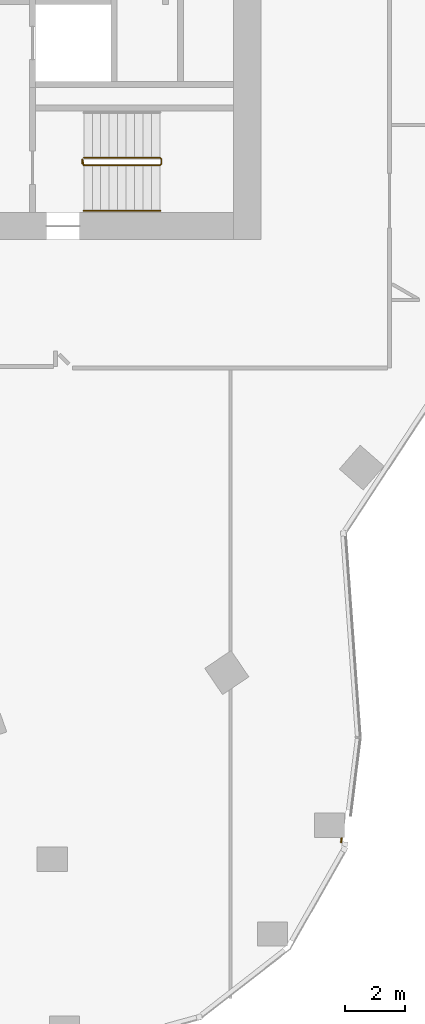
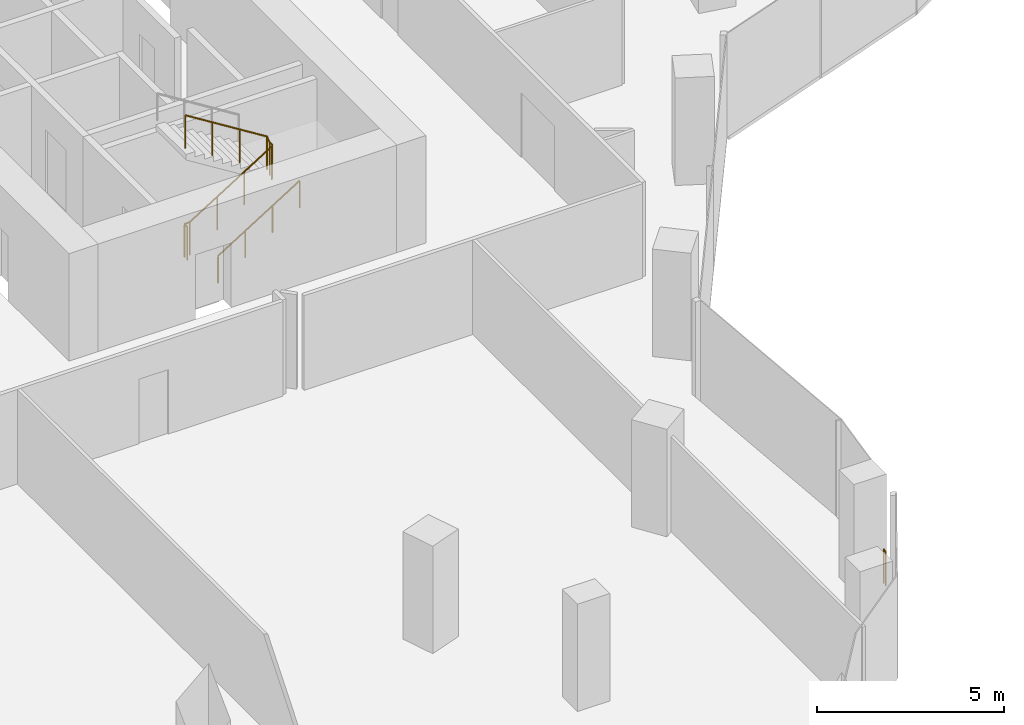
# One storey, part 23 of 24: 3 railings.
"""IFC4 building model written with IfcOpenShell, lengths in metres."""

from ifc_helpers import new_model, si_unit, direction, frame, origin, origin_2d, place, context, subcontext, project, spatial, circle, extrude, material, type_object, element, save


model = new_model("IFC4")

# Units and contexts
model_context = context("Model", 3, precision=1e-05, world=origin(), true_north=direction((0.0, 1.0)))
body_context = subcontext(model_context, "Body", "Model", "MODEL_VIEW")
ifc_project = project(units=[si_unit("LENGTHUNIT", "METRE"), si_unit("AREAUNIT", "SQUARE_METRE"), si_unit("VOLUMEUNIT", "CUBIC_METRE"), si_unit("PLANEANGLEUNIT", "RADIAN"), si_unit("MASSUNIT", "GRAM", prefix="KILO")], contexts=[model_context])

# Site, building, storey
site_placement = place(None, origin())
site = spatial("IfcSite", under=ifc_project, at=site_placement, CompositionType="ELEMENT")
building_placement = place(site_placement, origin())
building = spatial("IfcBuilding", under=site, at=building_placement, Name="Orlundy Tower", CompositionType="ELEMENT")
storey_placement = place(building_placement, frame((0.0, 0.0, 239.0)))
storey = spatial("IfcBuildingStorey", under=building, at=storey_placement, Name="L63", CompositionType="ELEMENT", Elevation=239.0)

# Railings
ifc_material_1 = material(Name="Steel balustrade", Category="steel")
railing_type_1 = type_object("IfcRailingType", Name="Stair Guard 1100", PredefinedType="GUARDRAIL", material=ifc_material_1)
railing_1_placement = place(storey_placement, frame((13.090087890625, -9.5, 0.0)))
element("IfcRailing", 1, at=railing_1_placement, inside=storey, type_object=railing_type_1, Name="L63 ST-E1 stair guard 1", PredefinedType="GUARDRAIL", context=body_context, shape_type="SweptSolid", body=[
    extrude(circle(Radius=0.02392578125, at=origin_2d()), frame((0.0, 0.0, 1.076171875), z_axis=(0.0, 1.0, 0.0), x_axis=(-1.0, 0.0, 0.0)), (0.0, 0.0, 1.0), 0.14990234375),
    extrude(circle(Radius=0.02392578125, at=origin_2d()), frame((0.0, 0.14990234375, 1.076171875), z_axis=(0.18420542264, -0.739530593833, 0.647427882513), x_axis=(0.970351222016, 0.241699205484, 0.0)), (0.0, 0.0, 1.0), 0.270263671875),
    extrude(circle(Radius=0.02392578125, at=origin_2d()), frame((0.0498046875, -0.050048828125, 1.2509765625), z_axis=(0.848007534815, 0.0, 0.529984170421), x_axis=(0.0, 1.0, 0.0)), (0.0, 0.0, 1.0), 2.9716796875),
    extrude(circle(Radius=0.02392578125, at=origin_2d()), frame((2.56982421875, -0.050048828125, 2.826171875), z_axis=(0.707106781187, 0.707106781187, 0.0), x_axis=(-0.707106781187, 0.707106781187, 0.0)), (0.0, 0.0, 1.0), 0.07080078125),
    extrude(circle(Radius=0.02392578125, at=origin_2d()), frame((2.619873046875, 0.0, 2.826171875), z_axis=(0.0, 1.0, 0.0), x_axis=(-1.0, 0.0, 0.0)), (0.0, 0.0, 1.0), 0.14990234375),
    extrude(circle(Radius=0.02392578125, at=origin_2d()), frame((2.619873046875, 0.14990234375, 2.826171875), z_axis=(-0.265065253269, 0.265065253269, 0.927081885822), x_axis=(-0.707106781187, -0.707106781187, 0.0)), (0.0, 0.0, 1.0), 0.188720703125),
    extrude(circle(Radius=0.02392578125, at=origin_2d()), frame((2.56982421875, 0.199951171875, 3.0009765625), z_axis=(-0.848007534815, 0.0, 0.529984170421), x_axis=(0.0, -1.0, 0.0)), (0.0, 0.0, 1.0), 2.9716796875),
    extrude(circle(Radius=0.02099609375, at=origin_2d()), origin(), (0.0, 0.0, 1.0), 1.052001953125),
    extrude(circle(Radius=0.02099609375, at=origin_2d()), frame((0.0, 0.14990234375, 0.0)), (0.0, 0.0, 1.0), 1.052001953125),
    extrude(circle(Radius=0.02099609375, at=origin_2d()), frame((0.0498046875, -0.050048828125, 0.175048828125)), (0.0, 0.0, 1.0), 1.052001953125),
    extrude(circle(Radius=0.02099609375, at=origin_2d()), frame((0.889892578125, -0.050048828125, 0.699951171875)), (0.0, 0.0, 1.0), 1.052001953125),
    extrude(circle(Radius=0.02099609375, at=origin_2d()), frame((1.729736328125, -0.050048828125, 1.22509765625)), (0.0, 0.0, 1.0), 1.052001953125),
    extrude(circle(Radius=0.02099609375, at=origin_2d()), frame((2.56982421875, -0.050048828125, 1.75)), (0.0, 0.0, 1.0), 1.052001953125),
    extrude(circle(Radius=0.02099609375, at=origin_2d()), frame((2.619873046875, 0.0, 1.75)), (0.0, 0.0, 1.0), 1.052001953125),
    extrude(circle(Radius=0.02099609375, at=origin_2d()), frame((2.619873046875, 0.14990234375, 1.75)), (0.0, 0.0, 1.0), 1.052001953125),
    extrude(circle(Radius=0.02099609375, at=origin_2d()), frame((2.56982421875, 0.199951171875, 1.925048828125)), (0.0, 0.0, 1.0), 1.052001953125),
    extrude(circle(Radius=0.02099609375, at=origin_2d()), frame((1.729736328125, 0.199951171875, 2.449951171875)), (0.0, 0.0, 1.0), 1.052001953125),
    extrude(circle(Radius=0.02099609375, at=origin_2d()), frame((0.889892578125, 0.199951171875, 2.97509765625)), (0.0, 0.0, 1.0), 1.052001953125),
    extrude(circle(Radius=0.02099609375, at=origin_2d()), frame((0.0498046875, 0.199951171875, 3.5)), (0.0, 0.0, 1.0), 1.052001953125),
])
ifc_material_2 = material(Name="Steel handrail", Category="steel")
railing_type_2 = type_object("IfcRailingType", Name="Stair Handrail 900", PredefinedType="HANDRAIL", material=ifc_material_2)
railing_2_placement = place(storey_placement, frame((13.139892578125, -11.050048828125, 0.175048828125)))
element("IfcRailing", 2, at=railing_2_placement, inside=storey, type_object=railing_type_2, Name="L63 ST-E1 stair handrail 1", PredefinedType="HANDRAIL", context=body_context, shape_type="SweptSolid", body=[
    extrude(circle(Radius=0.02392578125, at=origin_2d()), frame((0.0, 0.0, 0.8759765625), z_axis=(0.848007534815, 0.0, 0.529984170421), x_axis=(0.0, 1.0, 0.0)), (0.0, 0.0, 1.0), 2.9716796875),
    extrude(circle(Radius=0.02099609375, at=origin_2d()), origin(), (0.0, 0.0, 1.0), 0.851806640625),
    extrude(circle(Radius=0.02099609375, at=origin_2d()), frame((0.840087890625, 0.0, 0.52490234375)), (0.0, 0.0, 1.0), 0.851806640625),
    extrude(circle(Radius=0.02099609375, at=origin_2d()), frame((1.679931640625, 0.0, 1.050048828125)), (0.0, 0.0, 1.0), 0.851806640625),
    extrude(circle(Radius=0.02099609375, at=origin_2d()), frame((2.52001953125, 0.0, 1.574951171875)), (0.0, 0.0, 1.0), 0.851806640625),
])
ifc_material_3 = material(Name="Stainless steel bronze finish", Category="steel")
railing_type_3 = type_object("IfcRailingType", Name="TG1 terrace guard", PredefinedType="GUARDRAIL", material=ifc_material_3)
railing_3_placement = place(storey_placement, frame((21.67138671875, -31.81005859375, 0.0)))
element("IfcRailing", 3, at=railing_3_placement, inside=storey, type_object=railing_type_3, Name="Guard TG-L63-E01", PredefinedType="GUARDRAIL", context=body_context, shape_type="SweptSolid", body=[
    extrude(circle(Radius=0.02490234375, at=origin_2d()), frame((0.0, 0.0, 1.09521484375), z_axis=(-0.122459893212, -0.992473462897, 0.0), x_axis=(0.992473462897, -0.122459893212, 0.0)), (0.0, 0.0, 1.0), 0.133544921875),
    extrude(circle(Radius=0.02001953125, at=origin_2d()), origin(), (0.0, 0.0, 1.0), 1.070068359375),
    extrude(circle(Radius=0.02001953125, at=origin_2d()), frame((-0.016357421875, -0.132568359375, 0.0)), (0.0, 0.0, 1.0), 1.070068359375),
])

save(model, "model.ifc")
